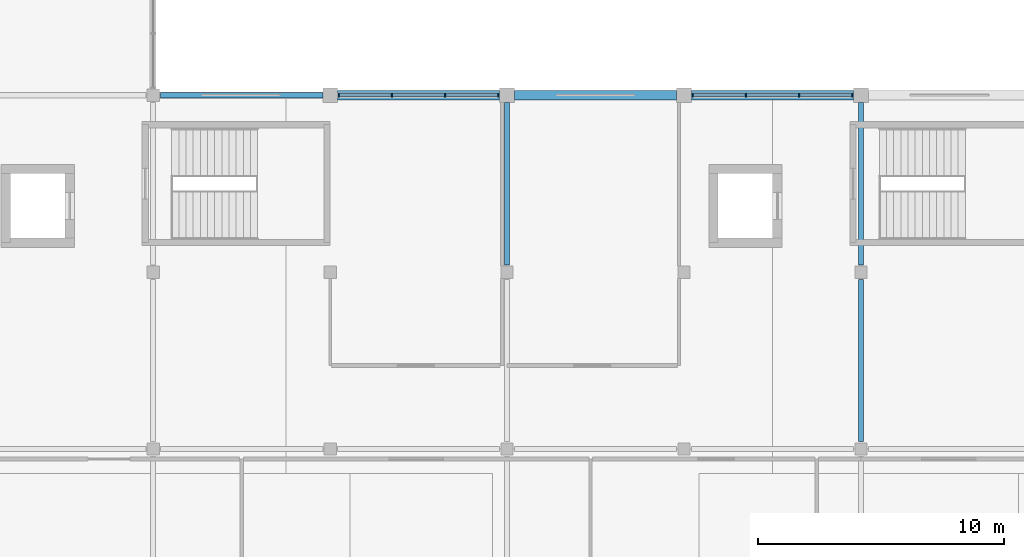
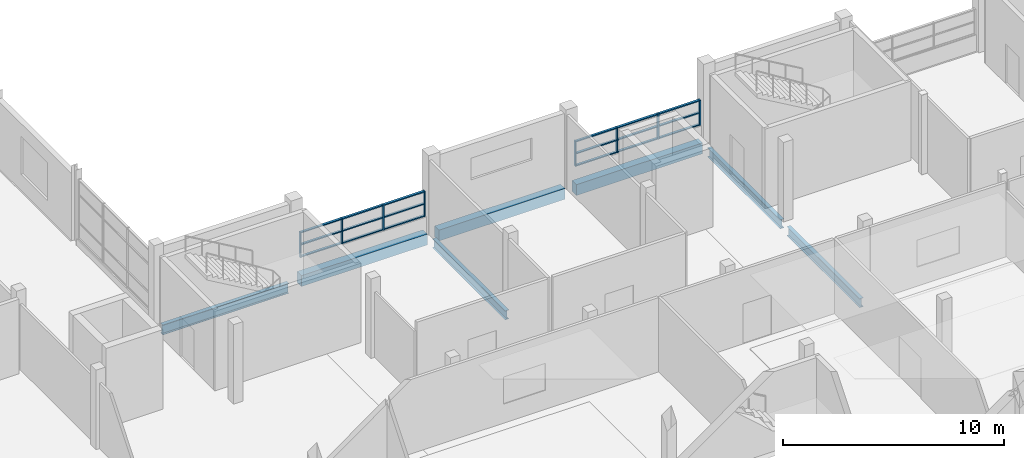
# One storey, part 14 of 71: 26 members, 7 beams, 2 elements without a shape of their own.
"""IFC4 building model written with IfcOpenShell, lengths in metres."""

from ifc_helpers import new_model, si_unit, direction, frame, origin, origin_2d, place, context, subcontext, project, spatial, rectangle, i_section, extrude, material, material_profile, profile_set, type_object, element, aggregate, save


model = new_model("IFC4")

# Units and contexts
model_context = context("Model", 3, precision=1e-05, world=origin(), true_north=direction((0.0, 1.0)))
body_context = subcontext(model_context, "Body", "Model", "MODEL_VIEW")
ifc_project = project(units=[si_unit("LENGTHUNIT", "METRE"), si_unit("AREAUNIT", "SQUARE_METRE"), si_unit("VOLUMEUNIT", "CUBIC_METRE"), si_unit("PLANEANGLEUNIT", "RADIAN"), si_unit("MASSUNIT", "GRAM", prefix="KILO")], contexts=[model_context])

# Site, building, storey
site_placement = place(None, origin())
site = spatial("IfcSite", under=ifc_project, at=site_placement, CompositionType="ELEMENT")
building_placement = place(site_placement, origin())
building = spatial("IfcBuilding", under=site, at=building_placement, Name="Sardonyx Promenade Sports Hall", CompositionType="ELEMENT")
storey_placement = place(building_placement, frame((0.0, 0.0, 16.0)))
storey = spatial("IfcBuildingStorey", under=building, at=storey_placement, Name="L03", CompositionType="ELEMENT", Elevation=16.0)

# Beams
ifc_material_1 = material(Name="Steel S355JR", Category="steel")
ifc_material_profile_1 = material_profile(ifc_material_1, i_section(OverallWidth=0.199951171875, OverallDepth=0.5, WebThickness=0.01025390625, FlangeThickness=0.01611328125, at=origin_2d()))
ifc_profile_set_1 = profile_set([ifc_material_profile_1], Name="Steel S355JR")
beam_type_1 = type_object("IfcBeamType", Name="Bm_Primary_IPE500", PredefinedType="BEAM", material=ifc_profile_set_1)
for number, where, z_axis, x_axis, name in (
    (1, (43.199951171875, 21.89990234375, -0.52001953125), (0.0, 1.0, 0.0), (-1.0, 0.0, 0.0), "Beam SB06 L03 #836"),
    (2, (57.60009765625, 14.699951171875, -0.52001953125), (0.0, 1.0, 0.0), (-1.0, 0.0, 0.0), "Beam SB06 L03 #843"),
    (3, (57.60009765625, 21.89990234375, -0.52001953125), (0.0, 1.0, 0.0), (-1.0, 0.0, 0.0), "Beam SB06 L03 #844"),
):
    element("IfcBeam", number, at=place(storey_placement, frame(where, z_axis=z_axis, x_axis=x_axis)), inside=storey, type_object=beam_type_1, Name=name, PredefinedType="BEAM", context=body_context, shape_type="SweptSolid", body=[
        extrude(i_section(OverallWidth=0.199951171875, OverallDepth=0.5, WebThickness=0.01025390625, FlangeThickness=0.01611328125, at=origin_2d()), origin(), (0.0, 0.0, 1.0), 6.60009765625),
    ])
ifc_material_2 = material(Name="Steel S355JR", Category="steel")
ifc_material_profile_2 = material_profile(ifc_material_2, i_section(OverallWidth=0.2099609375, OverallDepth=0.550048828125, WebThickness=0.010986328125, FlangeThickness=0.01708984375, at=origin_2d()))
ifc_profile_set_2 = profile_set([ifc_material_profile_2], Name="Steel S355JR")
beam_type_2 = type_object("IfcBeamType", Name="Bm_Primary_IPE550", PredefinedType="BEAM", material=ifc_profile_set_2)
beam_1_placement = place(storey_placement, frame((29.10009765625, 28.800048828125, -0.544921875), z_axis=(1.0, 0.0, 0.0), x_axis=(0.0, 1.0, 0.0)))
element("IfcBeam", 4, at=beam_1_placement, inside=storey, type_object=beam_type_2, Name="Beam SB03 L03 #756", PredefinedType="BEAM", context=body_context, shape_type="SweptSolid", body=[
    extrude(i_section(OverallWidth=0.2099609375, OverallDepth=0.550048828125, WebThickness=0.010986328125, FlangeThickness=0.01708984375, at=origin_2d()), origin(), (0.0, 0.0, 1.0), 6.599853515625),
])
ifc_material_3 = material(Name="Concrete C40/50", Category="concrete")
ifc_material_profile_3 = material_profile(ifc_material_3, rectangle(XDim=0.39990234375, YDim=0.60009765625, at=origin_2d()))
ifc_profile_set_3 = profile_set([ifc_material_profile_3], Name="Concrete C40/50")
beam_type_3 = type_object("IfcBeamType", Name="Bm_Spandrel_RC600", PredefinedType="SPANDREL", material=ifc_profile_set_3)
beam_2_placement = place(storey_placement, frame((36.300048828125, 28.800048828125, -0.300048828125), z_axis=(1.0, 0.0, 0.0), x_axis=(0.0, 1.0, 0.0)))
element("IfcBeam", 5, at=beam_2_placement, inside=storey, type_object=beam_type_3, Name="Beam SPB1 L03 #757", PredefinedType="SPANDREL", context=body_context, shape_type="SweptSolid", body=[
    extrude(rectangle(XDim=0.39990234375, YDim=0.60009765625, at=origin_2d()), origin(), (0.0, 0.0, 1.0), 6.599853515625),
])
for number, where, z_axis, x_axis, name in (
    (6, (43.5, 28.800048828125, -0.300048828125), (1.0, 0.0, 0.0), (0.0, 1.0, 0.0), "Beam SPB1 L03 #758"),
    (7, (50.699951171875, 28.800048828125, -0.300048828125), (1.0, 0.0, 0.0), (0.0, 1.0, 0.0), "Beam SPB1 L03 #759"),
):
    element("IfcBeam", number, at=place(storey_placement, frame(where, z_axis=z_axis, x_axis=x_axis)), inside=storey, type_object=beam_type_3, Name=name, PredefinedType="SPANDREL", context=body_context, shape_type="SweptSolid", body=[
        extrude(rectangle(XDim=0.39990234375, YDim=0.60009765625, at=origin_2d()), origin(), (0.0, 0.0, 1.0), 6.60009765625),
    ])

# Curtain wall, members
ifc_material_4 = material(Name="Aluminium 6063-T6", Category="aluminium")
curtain_wall_type = type_object("IfcCurtainWallType", Name="CW_Spandrel_Band", PredefinedType="USERDEFINED", material=ifc_material_4)
curtain_wall_1_placement = place(storey_placement, origin())
curtain_wall_1 = element("IfcCurtainWall", 8, at=curtain_wall_1_placement, inside=storey, type_object=curtain_wall_type, Name="Curtain wall CW16 cw:L03:163", ObjectType="CURTAIN WALL", PredefinedType="USERDEFINED")
ifc_material_5 = material(Name="Aluminium 6063-T6", Category="aluminium")
ifc_material_profile_4 = material_profile(ifc_material_5, rectangle(XDim=0.06005859375, YDim=0.14990234375, at=origin_2d()))
ifc_profile_set_4 = profile_set([ifc_material_profile_4], Name="Aluminium 6063-T6")
member_type_1 = type_object("IfcMemberType", Name="CW_Mull_150", PredefinedType="MULLION", material=ifc_profile_set_4)
member_1_placement = place(storey_placement, frame((36.35009765625, 28.800048828125, 0.89990234375), z_axis=(0.0, 0.0, 1.0), x_axis=(1.0, 0.0, 0.0)))
member_1 = element("IfcMember", 9, at=member_1_placement, type_object=member_type_1, Name="Mullion CM01 cw:L03:163 #1", PredefinedType="MULLION", context=body_context, shape_type="SweptSolid", body=[
    extrude(rectangle(XDim=0.06005859375, YDim=0.14990234375, at=origin_2d()), origin(), (0.0, 0.0, 1.0), 1.400146484375),
])
member_2_placement = place(storey_placement, frame((38.5166015625, 28.800048828125, 0.89990234375), z_axis=(0.0, 0.0, 1.0), x_axis=(1.0, 0.0, 0.0)))
member_2 = element("IfcMember", 10, at=member_2_placement, type_object=member_type_1, Name="Mullion CM01 cw:L03:163 #2", PredefinedType="MULLION", context=body_context, shape_type="SweptSolid", body=[
    extrude(rectangle(XDim=0.06005859375, YDim=0.14990234375, at=origin_2d()), origin(), (0.0, 0.0, 1.0), 1.400146484375),
])
member_3_placement = place(storey_placement, frame((40.683349609375, 28.800048828125, 0.89990234375), z_axis=(0.0, 0.0, 1.0), x_axis=(1.0, 0.0, 0.0)))
member_3 = element("IfcMember", 11, at=member_3_placement, type_object=member_type_1, Name="Mullion CM01 cw:L03:163 #3", PredefinedType="MULLION", context=body_context, shape_type="SweptSolid", body=[
    extrude(rectangle(XDim=0.06005859375, YDim=0.14990234375, at=origin_2d()), origin(), (0.0, 0.0, 1.0), 1.400146484375),
])
member_4_placement = place(storey_placement, frame((42.85009765625, 28.800048828125, 0.89990234375), z_axis=(0.0, 0.0, 1.0), x_axis=(1.0, 0.0, 0.0)))
member_4 = element("IfcMember", 12, at=member_4_placement, type_object=member_type_1, Name="Mullion CM01 cw:L03:163 #4", PredefinedType="MULLION", context=body_context, shape_type="SweptSolid", body=[
    extrude(rectangle(XDim=0.06005859375, YDim=0.14990234375, at=origin_2d()), origin(), (0.0, 0.0, 1.0), 1.400146484375),
])

curtain_wall_2_placement = place(storey_placement, origin())
curtain_wall_2 = element("IfcCurtainWall", 13, at=curtain_wall_2_placement, inside=storey, type_object=curtain_wall_type, Name="Curtain wall CW16 cw:L03:164", ObjectType="CURTAIN WALL", PredefinedType="USERDEFINED")
member_5_placement = place(storey_placement, frame((50.75, 28.800048828125, 0.89990234375), z_axis=(0.0, 0.0, 1.0), x_axis=(1.0, 0.0, 0.0)))
member_5 = element("IfcMember", 14, at=member_5_placement, type_object=member_type_1, Name="Mullion CM01 cw:L03:164 #1", PredefinedType="MULLION", context=body_context, shape_type="SweptSolid", body=[
    extrude(rectangle(XDim=0.06005859375, YDim=0.14990234375, at=origin_2d()), origin(), (0.0, 0.0, 1.0), 1.400146484375),
])
member_6_placement = place(storey_placement, frame((52.916748046875, 28.800048828125, 0.89990234375), z_axis=(0.0, 0.0, 1.0), x_axis=(1.0, 0.0, 0.0)))
member_6 = element("IfcMember", 15, at=member_6_placement, type_object=member_type_1, Name="Mullion CM01 cw:L03:164 #2", PredefinedType="MULLION", context=body_context, shape_type="SweptSolid", body=[
    extrude(rectangle(XDim=0.06005859375, YDim=0.14990234375, at=origin_2d()), origin(), (0.0, 0.0, 1.0), 1.400146484375),
])
member_7_placement = place(storey_placement, frame((55.083251953125, 28.800048828125, 0.89990234375), z_axis=(0.0, 0.0, 1.0), x_axis=(1.0, 0.0, 0.0)))
member_7 = element("IfcMember", 16, at=member_7_placement, type_object=member_type_1, Name="Mullion CM01 cw:L03:164 #3", PredefinedType="MULLION", context=body_context, shape_type="SweptSolid", body=[
    extrude(rectangle(XDim=0.06005859375, YDim=0.14990234375, at=origin_2d()), origin(), (0.0, 0.0, 1.0), 1.400146484375),
])
member_8_placement = place(storey_placement, frame((57.25, 28.800048828125, 0.89990234375), z_axis=(0.0, 0.0, 1.0), x_axis=(1.0, 0.0, 0.0)))
member_8 = element("IfcMember", 17, at=member_8_placement, type_object=member_type_1, Name="Mullion CM01 cw:L03:164 #4", PredefinedType="MULLION", context=body_context, shape_type="SweptSolid", body=[
    extrude(rectangle(XDim=0.06005859375, YDim=0.14990234375, at=origin_2d()), origin(), (0.0, 0.0, 1.0), 1.400146484375),
])

# Member
ifc_material_6 = material(Name="Aluminium 6063-T6", Category="aluminium")
ifc_material_profile_5 = material_profile(ifc_material_6, rectangle(XDim=0.06005859375, YDim=0.1201171875, at=origin_2d()))
ifc_profile_set_5 = profile_set([ifc_material_profile_5], Name="Aluminium 6063-T6")
member_type_2 = type_object("IfcMemberType", Name="CW_Tran_120", PredefinedType="USERDEFINED", material=ifc_profile_set_5)
member_9_placement = place(storey_placement, frame((36.3798828125, 28.800048828125, 0.929931640625), z_axis=(1.0, 0.0, 0.0), x_axis=(0.0, 0.0, 1.0)))
member_9 = element("IfcMember", 18, at=member_9_placement, type_object=member_type_2, Name="Transom CT01 cw:L03:163 #1", ObjectType="TRANSOM", PredefinedType="USERDEFINED", context=body_context, shape_type="SweptSolid", body=[
    extrude(rectangle(XDim=0.06005859375, YDim=0.1201171875, at=origin_2d()), origin(), (0.0, 0.0, 1.0), 2.106689453125),
])

member_10_placement = place(storey_placement, frame((36.3798828125, 28.800048828125, 1.60009765625), z_axis=(1.0, 0.0, 0.0), x_axis=(0.0, 0.0, 1.0)))
member_10 = element("IfcMember", 19, at=member_10_placement, type_object=member_type_2, Name="Transom CT01 cw:L03:163 #2", ObjectType="TRANSOM", PredefinedType="USERDEFINED", context=body_context, shape_type="SweptSolid", body=[
    extrude(rectangle(XDim=0.06005859375, YDim=0.1201171875, at=origin_2d()), origin(), (0.0, 0.0, 1.0), 2.106689453125),
])

member_11_placement = place(storey_placement, frame((36.3798828125, 28.800048828125, 2.27001953125), z_axis=(1.0, 0.0, 0.0), x_axis=(0.0, 0.0, 1.0)))
member_11 = element("IfcMember", 20, at=member_11_placement, type_object=member_type_2, Name="Transom CT01 cw:L03:163 #3", ObjectType="TRANSOM", PredefinedType="USERDEFINED", context=body_context, shape_type="SweptSolid", body=[
    extrude(rectangle(XDim=0.06005859375, YDim=0.1201171875, at=origin_2d()), origin(), (0.0, 0.0, 1.0), 2.106689453125),
])

member_12_placement = place(storey_placement, frame((38.546630859375, 28.800048828125, 0.929931640625), z_axis=(1.0, 0.0, 0.0), x_axis=(0.0, 0.0, 1.0)))
member_12 = element("IfcMember", 21, at=member_12_placement, type_object=member_type_2, Name="Transom CT01 cw:L03:163 #4", ObjectType="TRANSOM", PredefinedType="USERDEFINED", context=body_context, shape_type="SweptSolid", body=[
    extrude(rectangle(XDim=0.06005859375, YDim=0.1201171875, at=origin_2d()), origin(), (0.0, 0.0, 1.0), 2.106689453125),
])

member_13_placement = place(storey_placement, frame((38.546630859375, 28.800048828125, 1.60009765625), z_axis=(1.0, 0.0, 0.0), x_axis=(0.0, 0.0, 1.0)))
member_13 = element("IfcMember", 22, at=member_13_placement, type_object=member_type_2, Name="Transom CT01 cw:L03:163 #5", ObjectType="TRANSOM", PredefinedType="USERDEFINED", context=body_context, shape_type="SweptSolid", body=[
    extrude(rectangle(XDim=0.06005859375, YDim=0.1201171875, at=origin_2d()), origin(), (0.0, 0.0, 1.0), 2.106689453125),
])

member_14_placement = place(storey_placement, frame((38.546630859375, 28.800048828125, 2.27001953125), z_axis=(1.0, 0.0, 0.0), x_axis=(0.0, 0.0, 1.0)))
member_14 = element("IfcMember", 23, at=member_14_placement, type_object=member_type_2, Name="Transom CT01 cw:L03:163 #6", ObjectType="TRANSOM", PredefinedType="USERDEFINED", context=body_context, shape_type="SweptSolid", body=[
    extrude(rectangle(XDim=0.06005859375, YDim=0.1201171875, at=origin_2d()), origin(), (0.0, 0.0, 1.0), 2.106689453125),
])

member_15_placement = place(storey_placement, frame((40.71337890625, 28.800048828125, 0.929931640625), z_axis=(1.0, 0.0, 0.0), x_axis=(0.0, 0.0, 1.0)))
member_15 = element("IfcMember", 24, at=member_15_placement, type_object=member_type_2, Name="Transom CT01 cw:L03:163 #7", ObjectType="TRANSOM", PredefinedType="USERDEFINED", context=body_context, shape_type="SweptSolid", body=[
    extrude(rectangle(XDim=0.06005859375, YDim=0.1201171875, at=origin_2d()), origin(), (0.0, 0.0, 1.0), 2.106689453125),
])

member_16_placement = place(storey_placement, frame((40.71337890625, 28.800048828125, 1.60009765625), z_axis=(1.0, 0.0, 0.0), x_axis=(0.0, 0.0, 1.0)))
member_16 = element("IfcMember", 25, at=member_16_placement, type_object=member_type_2, Name="Transom CT01 cw:L03:163 #8", ObjectType="TRANSOM", PredefinedType="USERDEFINED", context=body_context, shape_type="SweptSolid", body=[
    extrude(rectangle(XDim=0.06005859375, YDim=0.1201171875, at=origin_2d()), origin(), (0.0, 0.0, 1.0), 2.106689453125),
])

member_17_placement = place(storey_placement, frame((40.71337890625, 28.800048828125, 2.27001953125), z_axis=(1.0, 0.0, 0.0), x_axis=(0.0, 0.0, 1.0)))
member_17 = element("IfcMember", 26, at=member_17_placement, type_object=member_type_2, Name="Transom CT01 cw:L03:163 #9", ObjectType="TRANSOM", PredefinedType="USERDEFINED", context=body_context, shape_type="SweptSolid", body=[
    extrude(rectangle(XDim=0.06005859375, YDim=0.1201171875, at=origin_2d()), origin(), (0.0, 0.0, 1.0), 2.106689453125),
])

aggregate(curtain_wall_1, [member_1, member_2, member_3, member_4, member_9, member_10, member_11, member_12, member_13, member_14, member_15, member_16, member_17])

member_18_placement = place(storey_placement, frame((50.780029296875, 28.800048828125, 0.929931640625), z_axis=(1.0, 0.0, 0.0), x_axis=(0.0, 0.0, 1.0)))
member_18 = element("IfcMember", 27, at=member_18_placement, type_object=member_type_2, Name="Transom CT01 cw:L03:164 #1", ObjectType="TRANSOM", PredefinedType="USERDEFINED", context=body_context, shape_type="SweptSolid", body=[
    extrude(rectangle(XDim=0.06005859375, YDim=0.1201171875, at=origin_2d()), origin(), (0.0, 0.0, 1.0), 2.106689453125),
])

member_19_placement = place(storey_placement, frame((50.780029296875, 28.800048828125, 1.60009765625), z_axis=(1.0, 0.0, 0.0), x_axis=(0.0, 0.0, 1.0)))
member_19 = element("IfcMember", 28, at=member_19_placement, type_object=member_type_2, Name="Transom CT01 cw:L03:164 #2", ObjectType="TRANSOM", PredefinedType="USERDEFINED", context=body_context, shape_type="SweptSolid", body=[
    extrude(rectangle(XDim=0.06005859375, YDim=0.1201171875, at=origin_2d()), origin(), (0.0, 0.0, 1.0), 2.106689453125),
])

member_20_placement = place(storey_placement, frame((50.780029296875, 28.800048828125, 2.27001953125), z_axis=(1.0, 0.0, 0.0), x_axis=(0.0, 0.0, 1.0)))
member_20 = element("IfcMember", 29, at=member_20_placement, type_object=member_type_2, Name="Transom CT01 cw:L03:164 #3", ObjectType="TRANSOM", PredefinedType="USERDEFINED", context=body_context, shape_type="SweptSolid", body=[
    extrude(rectangle(XDim=0.06005859375, YDim=0.1201171875, at=origin_2d()), origin(), (0.0, 0.0, 1.0), 2.106689453125),
])

member_21_placement = place(storey_placement, frame((52.94677734375, 28.800048828125, 0.929931640625), z_axis=(1.0, 0.0, 0.0), x_axis=(0.0, 0.0, 1.0)))
member_21 = element("IfcMember", 30, at=member_21_placement, type_object=member_type_2, Name="Transom CT01 cw:L03:164 #4", ObjectType="TRANSOM", PredefinedType="USERDEFINED", context=body_context, shape_type="SweptSolid", body=[
    extrude(rectangle(XDim=0.06005859375, YDim=0.1201171875, at=origin_2d()), origin(), (0.0, 0.0, 1.0), 2.1064453125),
])

member_22_placement = place(storey_placement, frame((52.94677734375, 28.800048828125, 1.60009765625), z_axis=(1.0, 0.0, 0.0), x_axis=(0.0, 0.0, 1.0)))
member_22 = element("IfcMember", 31, at=member_22_placement, type_object=member_type_2, Name="Transom CT01 cw:L03:164 #5", ObjectType="TRANSOM", PredefinedType="USERDEFINED", context=body_context, shape_type="SweptSolid", body=[
    extrude(rectangle(XDim=0.06005859375, YDim=0.1201171875, at=origin_2d()), origin(), (0.0, 0.0, 1.0), 2.1064453125),
])

member_23_placement = place(storey_placement, frame((52.94677734375, 28.800048828125, 2.27001953125), z_axis=(1.0, 0.0, 0.0), x_axis=(0.0, 0.0, 1.0)))
member_23 = element("IfcMember", 32, at=member_23_placement, type_object=member_type_2, Name="Transom CT01 cw:L03:164 #6", ObjectType="TRANSOM", PredefinedType="USERDEFINED", context=body_context, shape_type="SweptSolid", body=[
    extrude(rectangle(XDim=0.06005859375, YDim=0.1201171875, at=origin_2d()), origin(), (0.0, 0.0, 1.0), 2.1064453125),
])

member_24_placement = place(storey_placement, frame((55.11328125, 28.800048828125, 0.929931640625), z_axis=(1.0, 0.0, 0.0), x_axis=(0.0, 0.0, 1.0)))
member_24 = element("IfcMember", 33, at=member_24_placement, type_object=member_type_2, Name="Transom CT01 cw:L03:164 #7", ObjectType="TRANSOM", PredefinedType="USERDEFINED", context=body_context, shape_type="SweptSolid", body=[
    extrude(rectangle(XDim=0.06005859375, YDim=0.1201171875, at=origin_2d()), origin(), (0.0, 0.0, 1.0), 2.106689453125),
])

member_25_placement = place(storey_placement, frame((55.11328125, 28.800048828125, 1.60009765625), z_axis=(1.0, 0.0, 0.0), x_axis=(0.0, 0.0, 1.0)))
member_25 = element("IfcMember", 34, at=member_25_placement, type_object=member_type_2, Name="Transom CT01 cw:L03:164 #8", ObjectType="TRANSOM", PredefinedType="USERDEFINED", context=body_context, shape_type="SweptSolid", body=[
    extrude(rectangle(XDim=0.06005859375, YDim=0.1201171875, at=origin_2d()), origin(), (0.0, 0.0, 1.0), 2.106689453125),
])

member_26_placement = place(storey_placement, frame((55.11328125, 28.800048828125, 2.27001953125), z_axis=(1.0, 0.0, 0.0), x_axis=(0.0, 0.0, 1.0)))
member_26 = element("IfcMember", 35, at=member_26_placement, type_object=member_type_2, Name="Transom CT01 cw:L03:164 #9", ObjectType="TRANSOM", PredefinedType="USERDEFINED", context=body_context, shape_type="SweptSolid", body=[
    extrude(rectangle(XDim=0.06005859375, YDim=0.1201171875, at=origin_2d()), origin(), (0.0, 0.0, 1.0), 2.106689453125),
])

aggregate(curtain_wall_2, [member_5, member_6, member_7, member_8, member_18, member_19, member_20, member_21, member_22, member_23, member_24, member_25, member_26])

save(model, "model.ifc")
